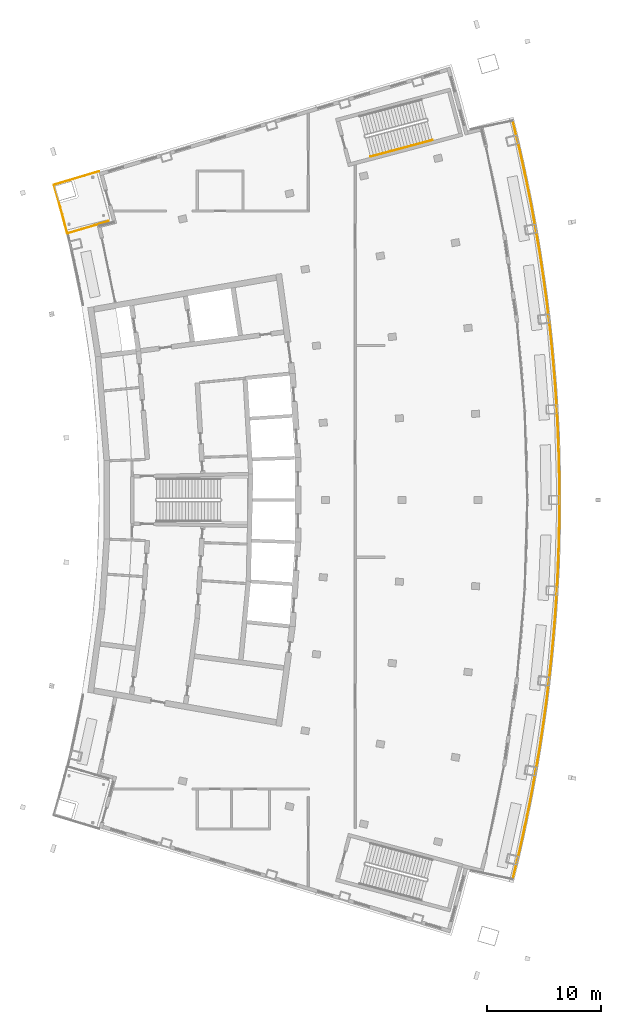
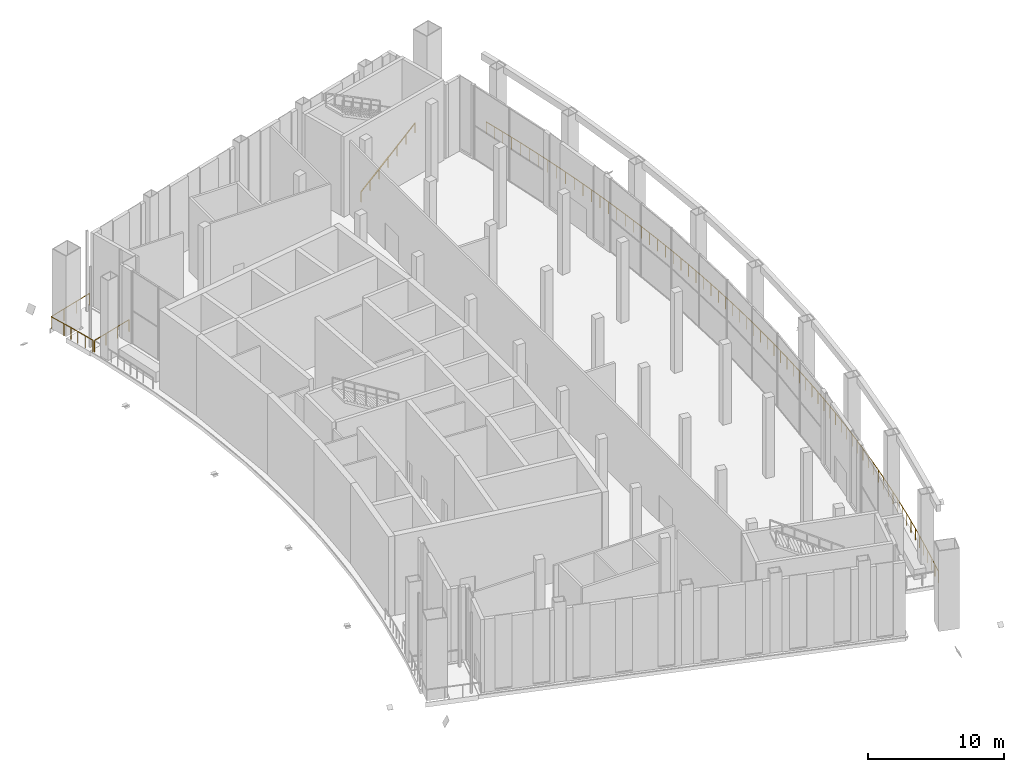
# One storey, part 23 of 25: 4 railings.
"""IFC4 building model written with IfcOpenShell, lengths in metres."""

import ifcopenshell
import ifcopenshell.guid

model = None  # the IFC model being written
_history = None  # IfcOwnerHistory: only IFC2X3 demands one
_inside = {}  # id of a spatial element -> (the spatial element, [elements in it])
_under = {}  # id of a project, library or spatial element -> (it, [spatial elements below it])
_declared = {}  # id of a project -> (the project, [libraries it declares])
_typed = {}  # id of a type object -> (the type object, [elements of that type])
_made_of = {}  # id of a material, layer set ... -> (it, [elements and type objects made of it])


def new_model(schema):
    """Start an empty IFC model of exactly this schema.

    Asked for "IFC4X3", IfcOpenShell would pick the latest addendum, in which some entities
    have other attributes; the version numbers below select the first issue.
    IFC2X3 requires an IfcOwnerHistory on every rooted entity: one is made here for all.
    """
    global model, _history
    if schema == "IFC4X3":
        model = ifcopenshell.file(schema_version=(4, 3, 0, 0))
    else:
        model = ifcopenshell.file(schema=schema)
    _inside.clear()
    _under.clear()
    _declared.clear()
    _typed.clear()
    _made_of.clear()
    _history = None
    if model.schema == "IFC2X3":
        org = make("IfcOrganization", Name="unknown")
        user = make(
            "IfcPersonAndOrganization",
            ThePerson=make("IfcPerson", FamilyName="unknown"),
            TheOrganization=org,
        )
        app = make(
            "IfcApplication",
            ApplicationDeveloper=org,
            Version="unknown",
            ApplicationFullName="unknown",
            ApplicationIdentifier="unknown",
        )
        _history = make(
            "IfcOwnerHistory",
            OwningUser=user,
            OwningApplication=app,
            ChangeAction="ADDED",
            CreationDate=0,
        )
    return model


def make(cls, **values):
    """One entity of the class cls with the attributes given. An attribute that is None is left unset."""
    return model.create_entity(
        cls, **{name: value for name, value in values.items() if value is not None}
    )


def rooted(cls, **values):
    """An entity with a GlobalId (a new one), such as an element, a storey or a relation."""
    return make(cls, GlobalId=ifcopenshell.guid.new(), OwnerHistory=_history, **values)


def si_unit(unit_type, name, prefix=None):
    """IfcSIUnit, for example si_unit("LENGTHUNIT", "METRE", prefix="MILLI")."""
    return make("IfcSIUnit", UnitType=unit_type, Prefix=prefix, Name=name)


def assignment(units):
    """IfcUnitAssignment: the units of a project."""
    return None if units is None else make("IfcUnitAssignment", Units=units)


def point(xyz):
    """IfcCartesianPoint."""
    return None if xyz is None else make("IfcCartesianPoint", Coordinates=xyz)


def direction(xyz):
    """IfcDirection."""
    return None if xyz is None else make("IfcDirection", DirectionRatios=xyz)


def frame(location, z_axis=None, x_axis=None):
    """IfcAxis2Placement3D, a coordinate frame: its origin and axes. An axis left out is left unset."""
    return make(
        "IfcAxis2Placement3D",
        Location=point(location),
        Axis=direction(z_axis),
        RefDirection=direction(x_axis),
    )


def frame_2d(location, x_axis=None):
    """IfcAxis2Placement2D, a coordinate frame in the plane: its origin and x axis."""
    return make(
        "IfcAxis2Placement2D", Location=point(location), RefDirection=direction(x_axis)
    )


def origin():
    """The frame at (0, 0, 0) with its axes left unset."""
    return frame((0.0, 0.0, 0.0))


def origin_2d():
    """The frame at (0, 0) in the plane with its x axis left unset."""
    return frame_2d((0.0, 0.0))


def place(relative_to, where):
    """IfcLocalPlacement: puts the frame where relative to a parent placement (None: the world)."""
    return make(
        "IfcLocalPlacement", PlacementRelTo=relative_to, RelativePlacement=where
    )


def context(
    kind, dimensions, precision=None, world=None, true_north=None, identifier=None
):
    """IfcGeometricRepresentationContext, for example the 3D "Model" context."""
    return make(
        "IfcGeometricRepresentationContext",
        ContextIdentifier=identifier,
        ContextType=kind,
        CoordinateSpaceDimension=dimensions,
        Precision=precision,
        WorldCoordinateSystem=world,
        TrueNorth=true_north,
    )


def subcontext(parent, identifier, kind, view, scale=None):
    """IfcGeometricRepresentationSubContext, for example "Body" below "Model"."""
    return make(
        "IfcGeometricRepresentationSubContext",
        ContextIdentifier=identifier,
        ContextType=kind,
        ParentContext=parent,
        TargetScale=scale,
        TargetView=view,
    )


def project(units=None, contexts=None):
    """IfcProject with its units and contexts."""
    return rooted(
        "IfcProject",
        Name="project",
        RepresentationContexts=contexts,
        UnitsInContext=assignment(units),
    )


def spatial(cls, under=None, at=None, **own):
    """A site, building, storey or space (cls), placed at a placement, below another one or the project."""
    s = rooted(cls, ObjectPlacement=at, **own)
    if under is not None:
        _under.setdefault(under.id(), (under, []))[1].append(s)
    return s


def profile(cls, at=None, kind="AREA", **sizes):
    """A parametric profile (cls). Its sizes go by their IFC names, for example OverallWidth=200.0."""
    return make(cls, ProfileType=kind, Position=at, **sizes)


def rectangle(**sizes):
    """IfcRectangleProfileDef."""
    return profile("IfcRectangleProfileDef", **sizes)


def extrude(swept, where, along, depth):
    """IfcExtrudedAreaSolid: the profile swept, set in the frame where, extruded along a direction by depth."""
    return make(
        "IfcExtrudedAreaSolid",
        SweptArea=swept,
        Position=where,
        ExtrudedDirection=direction(along),
        Depth=depth,
    )


def shape(context_of_items, identifier, shape_type, items):
    """IfcShapeRepresentation: the items that make up one representation, for example the "Body"."""
    return make(
        "IfcShapeRepresentation",
        ContextOfItems=context_of_items,
        RepresentationIdentifier=identifier,
        RepresentationType=shape_type,
        Items=items,
    )


def material(Name=None, Category=None):
    """IfcMaterial."""
    return make("IfcMaterial", Name=Name, Category=Category)


def made_of(thing, what):
    """Note that an element or type object is made of a material, layer set ...; save() writes the relation."""
    if what is not None:
        _made_of.setdefault(what.id(), (what, []))[1].append(thing)
    return thing


def type_object(cls, material=None, **own):
    """A type object (cls), such as IfcWallType, which elements share."""
    return made_of(rooted(cls, **own), material)


def element(
    cls,
    number,
    at=None,
    inside=None,
    cuts=None,
    type_object=None,
    material=None,
    context=None,
    identifier="Body",
    shape_type=None,
    held_by="IfcProductDefinitionShape",
    body=None,
    shapes=None,
    **own,
):
    """One element of the class cls, such as IfcWall. Its Tag is "e" and its number.

    at: its placement. inside: the storey or other place that contains it. cuts: it is an
    opening in that element (IfcRelVoidsElement). A single representation is given by context,
    identifier, shape_type and body (its items); several are given by shapes. held_by: the class
    of the entity that holds the representations. save() writes the other relations.
    """
    e = rooted(cls, Tag="e%d" % number, ObjectPlacement=at, **own)
    if body is not None:
        shapes = [shape(context, identifier, shape_type, body)]
    if shapes is not None:
        e.Representation = make(held_by, Representations=shapes)
    if inside is not None:
        _inside.setdefault(inside.id(), (inside, []))[1].append(e)
    if cuts is not None:
        rooted(
            "IfcRelVoidsElement", RelatingBuildingElement=cuts, RelatedOpeningElement=e
        )
    if type_object is not None:
        _typed.setdefault(type_object.id(), (type_object, []))[1].append(e)
    return made_of(e, material)


def aggregate(whole, parts):
    """IfcRelAggregates: a whole, such as a stair, and the parts it consists of."""
    return rooted("IfcRelAggregates", RelatingObject=whole, RelatedObjects=parts)


def save(model, path):
    """Write the relations noted so far, then the file.

    IfcRelAggregates (storeys below a building ...), IfcRelContainedInSpatialStructure (elements
    in a storey), IfcRelDefinesByType, IfcRelAssociatesMaterial and IfcRelDeclares: one each for
    every whole, place, type object, material and project.
    """
    for whole, parts in _under.values():
        aggregate(whole, parts)
    for where, things in _inside.values():
        rooted(
            "IfcRelContainedInSpatialStructure",
            RelatedElements=things,
            RelatingStructure=where,
        )
    for kind, things in _typed.values():
        rooted("IfcRelDefinesByType", RelatedObjects=things, RelatingType=kind)
    for what, things in _made_of.values():
        rooted("IfcRelAssociatesMaterial", RelatedObjects=things, RelatingMaterial=what)
    for by, libraries in _declared.values():
        rooted("IfcRelDeclares", RelatingContext=by, RelatedDefinitions=libraries)
    model.write(path)


model = new_model("IFC4")

# Units and contexts
model_context = context("Model", 3, precision=1e-05, world=origin(), true_north=direction((0.0, 1.0)))
body_context = subcontext(model_context, "Body", "Model", "MODEL_VIEW")
ifc_project = project(units=[si_unit("LENGTHUNIT", "METRE"), si_unit("AREAUNIT", "SQUARE_METRE"), si_unit("VOLUMEUNIT", "CUBIC_METRE"), si_unit("PLANEANGLEUNIT", "RADIAN"), si_unit("MASSUNIT", "GRAM", prefix="KILO")], contexts=[model_context])

# Site, building, storey
site_placement = place(None, origin())
site = spatial("IfcSite", under=ifc_project, at=site_placement, CompositionType="ELEMENT")
building_placement = place(site_placement, origin())
building = spatial("IfcBuilding", under=site, at=building_placement, Name="Alderwake Tower", CompositionType="ELEMENT")
storey_placement = place(building_placement, frame((0.0, 0.0, 288.800048828125)))
storey = spatial("IfcBuildingStorey", under=building, at=storey_placement, Name="L72", CompositionType="ELEMENT", Elevation=288.800048828125)

# Railings
ifc_material_1 = material(Name="Stainless steel 316 rail and posts", Category="steel")
railing_type_1 = type_object("IfcRailingType", Name="Balcony guard 1100", PredefinedType="GUARDRAIL", material=ifc_material_1)
railing_1_placement = place(storey_placement, frame((13.210693359375, 84.387451171875, 0.0)))
element("IfcRailing", 1, at=railing_1_placement, inside=storey, type_object=railing_type_1, Name="Guard terrace RN", PredefinedType="GUARDRAIL", context=body_context, shape_type="SweptSolid", body=[
    extrude(rectangle(XDim=0.048095703125, YDim=0.048095703125, at=origin_2d()), frame((0.0, 0.0, 1.076171875), z_axis=(-0.251385381433, 0.967887075026, 0.0), x_axis=(-0.967887075026, -0.251385381433, 0.0)), (0.0, 0.0, 1.0), 1.6015625),
    extrude(rectangle(XDim=0.048095703125, YDim=0.048095703125, at=origin_2d()), frame((-0.402587890625, 1.550048828125, 1.076171875), z_axis=(-0.266520638672, 0.963829211615, 0.0), x_axis=(-0.963829211615, -0.266520638672, 0.0)), (0.0, 0.0, 1.0), 1.401611328125),
    extrude(rectangle(XDim=0.048095703125, YDim=0.048095703125, at=origin_2d()), frame((-0.776123046875, 2.90087890625, 1.076171875), z_axis=(-0.280093650878, 0.959972680204, 0.0), x_axis=(-0.959972680204, -0.280093650878, 0.0)), (0.0, 0.0, 1.0), 1.30126953125),
    extrude(rectangle(XDim=0.048095703125, YDim=0.048095703125, at=origin_2d()), frame((-1.140625, 4.150146484375, 1.076171875), z_axis=(0.958066871889, 0.286544706789, 0.0), x_axis=(-0.286544706789, 0.958066871889, 0.0)), (0.0, 0.0, 1.0), 4.099853515625),
    extrude(rectangle(XDim=0.0419921875, YDim=0.0419921875, at=origin_2d()), frame((0.0, 0.0, 0.0), z_axis=(0.0, 0.0, 1.0), x_axis=(-0.251385381433, 0.967887075026, 0.0)), (0.0, 0.0, 1.0), 1.052001953125),
    extrude(rectangle(XDim=0.0419921875, YDim=0.0419921875, at=origin_2d()), frame((-0.201171875, 0.77490234375, 0.0), z_axis=(0.0, 0.0, 1.0), x_axis=(-0.251385381433, 0.967887075026, 0.0)), (0.0, 0.0, 1.0), 1.052001953125),
    extrude(rectangle(XDim=0.0419921875, YDim=0.0419921875, at=origin_2d()), frame((-0.402587890625, 1.550048828125, 0.0), z_axis=(0.0, 0.0, 1.0), x_axis=(-0.266520638672, 0.963829211615, 0.0)), (0.0, 0.0, 1.0), 1.052001953125),
    extrude(rectangle(XDim=0.0419921875, YDim=0.0419921875, at=origin_2d()), frame((-0.58935546875, 2.2255859375, 0.0), z_axis=(0.0, 0.0, 1.0), x_axis=(-0.266520638672, 0.963829211615, 0.0)), (0.0, 0.0, 1.0), 1.052001953125),
    extrude(rectangle(XDim=0.0419921875, YDim=0.0419921875, at=origin_2d()), frame((-0.776123046875, 2.90087890625, 0.0), z_axis=(0.0, 0.0, 1.0), x_axis=(-0.280093650878, 0.959972680204, 0.0)), (0.0, 0.0, 1.0), 1.052001953125),
    extrude(rectangle(XDim=0.0419921875, YDim=0.0419921875, at=origin_2d()), frame((-1.140625, 4.150146484375, 0.0), z_axis=(0.0, 0.0, 1.0), x_axis=(0.958066871889, 0.286544706789, 0.0)), (0.0, 0.0, 1.0), 1.052001953125),
    extrude(rectangle(XDim=0.0419921875, YDim=0.0419921875, at=origin_2d()), frame((0.168701171875, 4.541748046875, 0.0), z_axis=(0.0, 0.0, 1.0), x_axis=(0.958066871889, 0.286544706789, 0.0)), (0.0, 0.0, 1.0), 1.052001953125),
    extrude(rectangle(XDim=0.0419921875, YDim=0.0419921875, at=origin_2d()), frame((1.47802734375, 4.933349609375, 0.0), z_axis=(0.0, 0.0, 1.0), x_axis=(0.958066871889, 0.286544706789, 0.0)), (0.0, 0.0, 1.0), 1.052001953125),
    extrude(rectangle(XDim=0.0419921875, YDim=0.0419921875, at=origin_2d()), frame((2.787353515625, 5.324951171875, 0.0), z_axis=(0.0, 0.0, 1.0), x_axis=(0.958066871889, 0.286544706789, 0.0)), (0.0, 0.0, 1.0), 1.052001953125),
])
railing_2_placement = place(storey_placement, frame((52.15771484375, 27.857177734375, 0.0)))
element("IfcRailing", 2, at=railing_2_placement, inside=storey, type_object=railing_type_1, Name="Guard garden terrace front", PredefinedType="GUARDRAIL", context=body_context, shape_type="SweptSolid", body=[
    extrude(rectangle(XDim=0.048095703125, YDim=0.048095703125, at=origin_2d()), frame((0.0, 0.0, 1.076171875), z_axis=(0.237186041921, 0.971464246135, 0.0), x_axis=(-0.971464246135, 0.237186041921, 0.0)), (0.0, 0.0, 1.0), 1.68701171875),
    extrude(rectangle(XDim=0.048095703125, YDim=0.048095703125, at=origin_2d()), frame((0.400146484375, 1.638916015625, 1.076171875), z_axis=(0.224132521124, 0.974558676004, 0.0), x_axis=(-0.974558676004, 0.224132521124, 0.0)), (0.0, 0.0, 1.0), 1.98681640625),
    extrude(rectangle(XDim=0.048095703125, YDim=0.048095703125, at=origin_2d()), frame((0.845458984375, 3.5751953125, 1.076171875), z_axis=(0.209873130072, 0.977728627623, 0.0), x_axis=(-0.977728627623, 0.209873130072, 0.0)), (0.0, 0.0, 1.0), 1.98681640625),
    extrude(rectangle(XDim=0.048095703125, YDim=0.048095703125, at=origin_2d()), frame((1.262451171875, 5.517822265625, 1.076171875), z_axis=(0.195596306807, 0.980684498074, 0.0), x_axis=(-0.980684498074, 0.195596306807, 0.0)), (0.0, 0.0, 1.0), 1.987060546875),
    extrude(rectangle(XDim=0.048095703125, YDim=0.048095703125, at=origin_2d()), frame((1.651123046875, 7.466552734375, 1.076171875), z_axis=(0.181231228883, 0.983440512526, 0.0), x_axis=(-0.983440512526, 0.181231228883, 0.0)), (0.0, 0.0, 1.0), 1.987060546875),
    extrude(rectangle(XDim=0.048095703125, YDim=0.048095703125, at=origin_2d()), frame((2.01123046875, 9.420654296875, 1.076171875), z_axis=(0.166988783999, 0.985958795295, 0.0), x_axis=(-0.985958795295, 0.166988783999, 0.0)), (0.0, 0.0, 1.0), 1.98681640625),
    extrude(rectangle(XDim=0.048095703125, YDim=0.048095703125, at=origin_2d()), frame((2.343017578125, 11.379638671875, 1.076171875), z_axis=(0.152472631452, 0.988307693311, 0.0), x_axis=(-0.988307693311, 0.152472631452, 0.0)), (0.0, 0.0, 1.0), 1.987060546875),
    extrude(rectangle(XDim=0.048095703125, YDim=0.048095703125, at=origin_2d()), frame((2.64599609375, 13.343505859375, 1.076171875), z_axis=(0.138117544488, 0.990415843928, 0.0), x_axis=(-0.990415843928, 0.138117544488, 0.0)), (0.0, 0.0, 1.0), 1.98681640625),
    extrude(rectangle(XDim=0.048095703125, YDim=0.048095703125, at=origin_2d()), frame((2.92041015625, 15.311279296875, 1.076171875), z_axis=(0.123611280463, 0.992330716718, 0.0), x_axis=(-0.992330716718, 0.123611280463, 0.0)), (0.0, 0.0, 1.0), 1.98681640625),
    extrude(rectangle(XDim=0.048095703125, YDim=0.048095703125, at=origin_2d()), frame((3.166015625, 17.282958984375, 1.076171875), z_axis=(0.109231217762, 0.994016368611, 0.0), x_axis=(-0.994016368611, 0.109231217762, 0.0)), (0.0, 0.0, 1.0), 1.987060546875),
    extrude(rectangle(XDim=0.048095703125, YDim=0.048095703125, at=origin_2d()), frame((3.383056640625, 19.258056640625, 1.076171875), z_axis=(0.094611942288, 0.995514229118, 0.0), x_axis=(-0.995514229118, 0.094611942288, 0.0)), (0.0, 0.0, 1.0), 1.987060546875),
    extrude(rectangle(XDim=0.048095703125, YDim=0.048095703125, at=origin_2d()), frame((3.571044921875, 21.236083984375, 1.076171875), z_axis=(0.080106578367, 0.996786304131, 0.0), x_axis=(-0.996786304131, 0.080106578367, 0.0)), (0.0, 0.0, 1.0), 1.987060546875),
    extrude(rectangle(XDim=0.048095703125, YDim=0.048095703125, at=origin_2d()), frame((3.730224609375, 23.216796875, 1.076171875), z_axis=(0.065613752154, 0.997845095958, 0.0), x_axis=(-0.997845095958, 0.065613752154, 0.0)), (0.0, 0.0, 1.0), 1.987060546875),
    extrude(rectangle(XDim=0.048095703125, YDim=0.048095703125, at=origin_2d()), frame((3.860595703125, 25.199462890625, 1.076171875), z_axis=(0.050991648385, 0.998699079701, 0.0), x_axis=(-0.998699079701, 0.050991648385, 0.0)), (0.0, 0.0, 1.0), 1.987060546875),
    extrude(rectangle(XDim=0.048095703125, YDim=0.048095703125, at=origin_2d()), frame((3.9619140625, 27.183837890625, 1.076171875), z_axis=(0.036493565073, 0.999333888002, 0.0), x_axis=(-0.999333888002, 0.036493565073, 0.0)), (0.0, 0.0, 1.0), 1.98681640625),
    extrude(rectangle(XDim=0.048095703125, YDim=0.048095703125, at=origin_2d()), frame((4.034423828125, 29.16943359375, 1.076171875), z_axis=(0.021870151886, 0.999760819625, 0.0), x_axis=(-0.999760819625, 0.021870151886, 0.0)), (0.0, 0.0, 1.0), 1.987060546875),
    extrude(rectangle(XDim=0.048095703125, YDim=0.048095703125, at=origin_2d()), frame((4.077880859375, 31.156005859375, 1.076171875), z_axis=(0.007249748033, 0.999973720231, 0.0), x_axis=(-0.999973720231, 0.007249748033, 0.0)), (0.0, 0.0, 1.0), 1.98681640625),
    extrude(rectangle(XDim=0.048095703125, YDim=0.048095703125, at=origin_2d()), frame((4.09228515625, 33.142822265625, 1.076171875), z_axis=(-0.007249748033, 0.999973720231, 0.0), x_axis=(-0.999973720231, -0.007249748033, 0.0)), (0.0, 0.0, 1.0), 1.98681640625),
    extrude(rectangle(XDim=0.048095703125, YDim=0.048095703125, at=origin_2d()), frame((4.077880859375, 35.129638671875, 1.076171875), z_axis=(-0.021870151886, 0.999760819625, 0.0), x_axis=(-0.999760819625, -0.021870151886, 0.0)), (0.0, 0.0, 1.0), 1.987060546875),
    extrude(rectangle(XDim=0.048095703125, YDim=0.048095703125, at=origin_2d()), frame((4.034423828125, 37.1162109375, 1.076171875), z_axis=(-0.036493565073, 0.999333888002, 0.0), x_axis=(-0.999333888002, -0.036493565073, 0.0)), (0.0, 0.0, 1.0), 1.98681640625),
    extrude(rectangle(XDim=0.048095703125, YDim=0.048095703125, at=origin_2d()), frame((3.9619140625, 39.101806640625, 1.076171875), z_axis=(-0.050991648385, 0.998699079701, 0.0), x_axis=(-0.998699079701, -0.050991648385, 0.0)), (0.0, 0.0, 1.0), 1.987060546875),
    extrude(rectangle(XDim=0.048095703125, YDim=0.048095703125, at=origin_2d()), frame((3.860595703125, 41.086181640625, 1.076171875), z_axis=(-0.065613752154, 0.997845095958, 0.0), x_axis=(-0.997845095958, -0.065613752154, 0.0)), (0.0, 0.0, 1.0), 1.987060546875),
    extrude(rectangle(XDim=0.048095703125, YDim=0.048095703125, at=origin_2d()), frame((3.730224609375, 43.06884765625, 1.076171875), z_axis=(-0.080106578367, 0.996786304131, 0.0), x_axis=(-0.996786304131, -0.080106578367, 0.0)), (0.0, 0.0, 1.0), 1.987060546875),
    extrude(rectangle(XDim=0.048095703125, YDim=0.048095703125, at=origin_2d()), frame((3.571044921875, 45.049560546875, 1.076171875), z_axis=(-0.094611942288, 0.995514229118, 0.0), x_axis=(-0.995514229118, -0.094611942288, 0.0)), (0.0, 0.0, 1.0), 1.987060546875),
    extrude(rectangle(XDim=0.048095703125, YDim=0.048095703125, at=origin_2d()), frame((3.383056640625, 47.027587890625, 1.076171875), z_axis=(-0.109231217762, 0.994016368611, 0.0), x_axis=(-0.994016368611, -0.109231217762, 0.0)), (0.0, 0.0, 1.0), 1.987060546875),
    extrude(rectangle(XDim=0.048095703125, YDim=0.048095703125, at=origin_2d()), frame((3.166015625, 49.002685546875, 1.076171875), z_axis=(-0.123611280463, 0.992330716718, 0.0), x_axis=(-0.992330716718, -0.123611280463, 0.0)), (0.0, 0.0, 1.0), 1.98681640625),
    extrude(rectangle(XDim=0.048095703125, YDim=0.048095703125, at=origin_2d()), frame((2.92041015625, 50.974365234375, 1.076171875), z_axis=(-0.138117544488, 0.990415843928, 0.0), x_axis=(-0.990415843928, -0.138117544488, 0.0)), (0.0, 0.0, 1.0), 1.98681640625),
    extrude(rectangle(XDim=0.048095703125, YDim=0.048095703125, at=origin_2d()), frame((2.64599609375, 52.942138671875, 1.076171875), z_axis=(-0.152472631452, 0.988307693311, 0.0), x_axis=(-0.988307693311, -0.152472631452, 0.0)), (0.0, 0.0, 1.0), 1.987060546875),
    extrude(rectangle(XDim=0.048095703125, YDim=0.048095703125, at=origin_2d()), frame((2.343017578125, 54.906005859375, 1.076171875), z_axis=(-0.166988783999, 0.985958795295, 0.0), x_axis=(-0.985958795295, -0.166988783999, 0.0)), (0.0, 0.0, 1.0), 1.98681640625),
    extrude(rectangle(XDim=0.048095703125, YDim=0.048095703125, at=origin_2d()), frame((2.01123046875, 56.864990234375, 1.076171875), z_axis=(-0.181231228883, 0.983440512526, 0.0), x_axis=(-0.983440512526, -0.181231228883, 0.0)), (0.0, 0.0, 1.0), 1.987060546875),
    extrude(rectangle(XDim=0.048095703125, YDim=0.048095703125, at=origin_2d()), frame((1.651123046875, 58.819091796875, 1.076171875), z_axis=(-0.195596306807, 0.980684498074, 0.0), x_axis=(-0.980684498074, -0.195596306807, 0.0)), (0.0, 0.0, 1.0), 1.987060546875),
    extrude(rectangle(XDim=0.048095703125, YDim=0.048095703125, at=origin_2d()), frame((1.262451171875, 60.767822265625, 1.076171875), z_axis=(-0.209873130072, 0.977728627623, 0.0), x_axis=(-0.977728627623, -0.209873130072, 0.0)), (0.0, 0.0, 1.0), 1.98681640625),
    extrude(rectangle(XDim=0.048095703125, YDim=0.048095703125, at=origin_2d()), frame((0.845458984375, 62.71044921875, 1.076171875), z_axis=(-0.224132521124, 0.974558676004, 0.0), x_axis=(-0.974558676004, -0.224132521124, 0.0)), (0.0, 0.0, 1.0), 1.98681640625),
    extrude(rectangle(XDim=0.048095703125, YDim=0.048095703125, at=origin_2d()), frame((0.400146484375, 64.646728515625, 1.076171875), z_axis=(-0.237186041921, 0.971464246135, 0.0), x_axis=(-0.971464246135, -0.237186041921, 0.0)), (0.0, 0.0, 1.0), 1.68701171875),
    extrude(rectangle(XDim=0.0419921875, YDim=0.0419921875, at=origin_2d()), frame((0.0, 0.0, 0.0), z_axis=(0.0, 0.0, 1.0), x_axis=(0.237186041921, 0.971464246135, 0.0)), (0.0, 0.0, 1.0), 1.052001953125),
    extrude(rectangle(XDim=0.0419921875, YDim=0.0419921875, at=origin_2d()), frame((0.2001953125, 0.8193359375, 0.0), z_axis=(0.0, 0.0, 1.0), x_axis=(0.237186041921, 0.971464246135, 0.0)), (0.0, 0.0, 1.0), 1.052001953125),
    extrude(rectangle(XDim=0.0419921875, YDim=0.0419921875, at=origin_2d()), frame((0.400146484375, 1.638916015625, 0.0), z_axis=(0.0, 0.0, 1.0), x_axis=(0.224132521124, 0.974558676004, 0.0)), (0.0, 0.0, 1.0), 1.052001953125),
    extrude(rectangle(XDim=0.0419921875, YDim=0.0419921875, at=origin_2d()), frame((0.622802734375, 2.60693359375, 0.0), z_axis=(0.0, 0.0, 1.0), x_axis=(0.224132521124, 0.974558676004, 0.0)), (0.0, 0.0, 1.0), 1.052001953125),
    extrude(rectangle(XDim=0.0419921875, YDim=0.0419921875, at=origin_2d()), frame((0.845458984375, 3.5751953125, 0.0), z_axis=(0.0, 0.0, 1.0), x_axis=(0.209873130072, 0.977728627623, 0.0)), (0.0, 0.0, 1.0), 1.052001953125),
    extrude(rectangle(XDim=0.0419921875, YDim=0.0419921875, at=origin_2d()), frame((1.053955078125, 4.54638671875, 0.0), z_axis=(0.0, 0.0, 1.0), x_axis=(0.209873130072, 0.977728627623, 0.0)), (0.0, 0.0, 1.0), 1.052001953125),
    extrude(rectangle(XDim=0.0419921875, YDim=0.0419921875, at=origin_2d()), frame((1.262451171875, 5.517822265625, 0.0), z_axis=(0.0, 0.0, 1.0), x_axis=(0.195596306807, 0.980684498074, 0.0)), (0.0, 0.0, 1.0), 1.052001953125),
    extrude(rectangle(XDim=0.0419921875, YDim=0.0419921875, at=origin_2d()), frame((1.456787109375, 6.4921875, 0.0), z_axis=(0.0, 0.0, 1.0), x_axis=(0.195596306807, 0.980684498074, 0.0)), (0.0, 0.0, 1.0), 1.052001953125),
    extrude(rectangle(XDim=0.0419921875, YDim=0.0419921875, at=origin_2d()), frame((1.651123046875, 7.466552734375, 0.0), z_axis=(0.0, 0.0, 1.0), x_axis=(0.181231228883, 0.983440512526, 0.0)), (0.0, 0.0, 1.0), 1.052001953125),
    extrude(rectangle(XDim=0.0419921875, YDim=0.0419921875, at=origin_2d()), frame((1.8310546875, 8.443603515625, 0.0), z_axis=(0.0, 0.0, 1.0), x_axis=(0.181231228883, 0.983440512526, 0.0)), (0.0, 0.0, 1.0), 1.052001953125),
    extrude(rectangle(XDim=0.0419921875, YDim=0.0419921875, at=origin_2d()), frame((2.01123046875, 9.420654296875, 0.0), z_axis=(0.0, 0.0, 1.0), x_axis=(0.166988783999, 0.985958795295, 0.0)), (0.0, 0.0, 1.0), 1.052001953125),
    extrude(rectangle(XDim=0.0419921875, YDim=0.0419921875, at=origin_2d()), frame((2.17724609375, 10.400146484375, 0.0), z_axis=(0.0, 0.0, 1.0), x_axis=(0.166988783999, 0.985958795295, 0.0)), (0.0, 0.0, 1.0), 1.052001953125),
    extrude(rectangle(XDim=0.0419921875, YDim=0.0419921875, at=origin_2d()), frame((2.343017578125, 11.379638671875, 0.0), z_axis=(0.0, 0.0, 1.0), x_axis=(0.152472631452, 0.988307693311, 0.0)), (0.0, 0.0, 1.0), 1.052001953125),
    extrude(rectangle(XDim=0.0419921875, YDim=0.0419921875, at=origin_2d()), frame((2.49462890625, 12.361572265625, 0.0), z_axis=(0.0, 0.0, 1.0), x_axis=(0.152472631452, 0.988307693311, 0.0)), (0.0, 0.0, 1.0), 1.052001953125),
    extrude(rectangle(XDim=0.0419921875, YDim=0.0419921875, at=origin_2d()), frame((2.64599609375, 13.343505859375, 0.0), z_axis=(0.0, 0.0, 1.0), x_axis=(0.138117544488, 0.990415843928, 0.0)), (0.0, 0.0, 1.0), 1.052001953125),
    extrude(rectangle(XDim=0.0419921875, YDim=0.0419921875, at=origin_2d()), frame((2.783203125, 14.327392578125, 0.0), z_axis=(0.0, 0.0, 1.0), x_axis=(0.138117544488, 0.990415843928, 0.0)), (0.0, 0.0, 1.0), 1.052001953125),
    extrude(rectangle(XDim=0.0419921875, YDim=0.0419921875, at=origin_2d()), frame((2.92041015625, 15.311279296875, 0.0), z_axis=(0.0, 0.0, 1.0), x_axis=(0.123611280463, 0.992330716718, 0.0)), (0.0, 0.0, 1.0), 1.052001953125),
    extrude(rectangle(XDim=0.0419921875, YDim=0.0419921875, at=origin_2d()), frame((3.043212890625, 16.297119140625, 0.0), z_axis=(0.0, 0.0, 1.0), x_axis=(0.123611280463, 0.992330716718, 0.0)), (0.0, 0.0, 1.0), 1.052001953125),
    extrude(rectangle(XDim=0.0419921875, YDim=0.0419921875, at=origin_2d()), frame((3.166015625, 17.282958984375, 0.0), z_axis=(0.0, 0.0, 1.0), x_axis=(0.109231217762, 0.994016368611, 0.0)), (0.0, 0.0, 1.0), 1.052001953125),
    extrude(rectangle(XDim=0.0419921875, YDim=0.0419921875, at=origin_2d()), frame((3.2744140625, 18.2705078125, 0.0), z_axis=(0.0, 0.0, 1.0), x_axis=(0.109231217762, 0.994016368611, 0.0)), (0.0, 0.0, 1.0), 1.052001953125),
    extrude(rectangle(XDim=0.0419921875, YDim=0.0419921875, at=origin_2d()), frame((3.383056640625, 19.258056640625, 0.0), z_axis=(0.0, 0.0, 1.0), x_axis=(0.094611942288, 0.995514229118, 0.0)), (0.0, 0.0, 1.0), 1.052001953125),
    extrude(rectangle(XDim=0.0419921875, YDim=0.0419921875, at=origin_2d()), frame((3.47705078125, 20.2470703125, 0.0), z_axis=(0.0, 0.0, 1.0), x_axis=(0.094611942288, 0.995514229118, 0.0)), (0.0, 0.0, 1.0), 1.052001953125),
    extrude(rectangle(XDim=0.0419921875, YDim=0.0419921875, at=origin_2d()), frame((3.571044921875, 21.236083984375, 0.0), z_axis=(0.0, 0.0, 1.0), x_axis=(0.080106578367, 0.996786304131, 0.0)), (0.0, 0.0, 1.0), 1.052001953125),
    extrude(rectangle(XDim=0.0419921875, YDim=0.0419921875, at=origin_2d()), frame((3.650634765625, 22.2265625, 0.0), z_axis=(0.0, 0.0, 1.0), x_axis=(0.080106578367, 0.996786304131, 0.0)), (0.0, 0.0, 1.0), 1.052001953125),
    extrude(rectangle(XDim=0.0419921875, YDim=0.0419921875, at=origin_2d()), frame((3.730224609375, 23.216796875, 0.0), z_axis=(0.0, 0.0, 1.0), x_axis=(0.065613752154, 0.997845095958, 0.0)), (0.0, 0.0, 1.0), 1.052001953125),
    extrude(rectangle(XDim=0.0419921875, YDim=0.0419921875, at=origin_2d()), frame((3.79541015625, 24.2080078125, 0.0), z_axis=(0.0, 0.0, 1.0), x_axis=(0.065613752154, 0.997845095958, 0.0)), (0.0, 0.0, 1.0), 1.052001953125),
    extrude(rectangle(XDim=0.0419921875, YDim=0.0419921875, at=origin_2d()), frame((3.860595703125, 25.199462890625, 0.0), z_axis=(0.0, 0.0, 1.0), x_axis=(0.050991648385, 0.998699079701, 0.0)), (0.0, 0.0, 1.0), 1.052001953125),
    extrude(rectangle(XDim=0.0419921875, YDim=0.0419921875, at=origin_2d()), frame((3.9111328125, 26.191650390625, 0.0), z_axis=(0.0, 0.0, 1.0), x_axis=(0.050991648385, 0.998699079701, 0.0)), (0.0, 0.0, 1.0), 1.052001953125),
    extrude(rectangle(XDim=0.0419921875, YDim=0.0419921875, at=origin_2d()), frame((3.9619140625, 27.183837890625, 0.0), z_axis=(0.0, 0.0, 1.0), x_axis=(0.036493565073, 0.999333888002, 0.0)), (0.0, 0.0, 1.0), 1.052001953125),
    extrude(rectangle(XDim=0.0419921875, YDim=0.0419921875, at=origin_2d()), frame((3.998046875, 28.1767578125, 0.0), z_axis=(0.0, 0.0, 1.0), x_axis=(0.036493565073, 0.999333888002, 0.0)), (0.0, 0.0, 1.0), 1.052001953125),
    extrude(rectangle(XDim=0.0419921875, YDim=0.0419921875, at=origin_2d()), frame((4.034423828125, 29.16943359375, 0.0), z_axis=(0.0, 0.0, 1.0), x_axis=(0.021870151886, 0.999760819625, 0.0)), (0.0, 0.0, 1.0), 1.052001953125),
    extrude(rectangle(XDim=0.0419921875, YDim=0.0419921875, at=origin_2d()), frame((4.05615234375, 30.16259765625, 0.0), z_axis=(0.0, 0.0, 1.0), x_axis=(0.021870151886, 0.999760819625, 0.0)), (0.0, 0.0, 1.0), 1.052001953125),
    extrude(rectangle(XDim=0.0419921875, YDim=0.0419921875, at=origin_2d()), frame((4.077880859375, 31.156005859375, 0.0), z_axis=(0.0, 0.0, 1.0), x_axis=(0.007249748033, 0.999973720231, 0.0)), (0.0, 0.0, 1.0), 1.052001953125),
    extrude(rectangle(XDim=0.0419921875, YDim=0.0419921875, at=origin_2d()), frame((4.0849609375, 32.1494140625, 0.0), z_axis=(0.0, 0.0, 1.0), x_axis=(0.007249748033, 0.999973720231, 0.0)), (0.0, 0.0, 1.0), 1.052001953125),
    extrude(rectangle(XDim=0.0419921875, YDim=0.0419921875, at=origin_2d()), frame((4.09228515625, 33.142822265625, 0.0), z_axis=(0.0, 0.0, 1.0), x_axis=(-0.007249748033, 0.999973720231, 0.0)), (0.0, 0.0, 1.0), 1.052001953125),
    extrude(rectangle(XDim=0.0419921875, YDim=0.0419921875, at=origin_2d()), frame((4.0849609375, 34.13623046875, 0.0), z_axis=(0.0, 0.0, 1.0), x_axis=(-0.007249748033, 0.999973720231, 0.0)), (0.0, 0.0, 1.0), 1.052001953125),
    extrude(rectangle(XDim=0.0419921875, YDim=0.0419921875, at=origin_2d()), frame((4.077880859375, 35.129638671875, 0.0), z_axis=(0.0, 0.0, 1.0), x_axis=(-0.021870151886, 0.999760819625, 0.0)), (0.0, 0.0, 1.0), 1.052001953125),
    extrude(rectangle(XDim=0.0419921875, YDim=0.0419921875, at=origin_2d()), frame((4.05615234375, 36.123046875, 0.0), z_axis=(0.0, 0.0, 1.0), x_axis=(-0.021870151886, 0.999760819625, 0.0)), (0.0, 0.0, 1.0), 1.052001953125),
    extrude(rectangle(XDim=0.0419921875, YDim=0.0419921875, at=origin_2d()), frame((4.034423828125, 37.1162109375, 0.0), z_axis=(0.0, 0.0, 1.0), x_axis=(-0.036493565073, 0.999333888002, 0.0)), (0.0, 0.0, 1.0), 1.052001953125),
    extrude(rectangle(XDim=0.0419921875, YDim=0.0419921875, at=origin_2d()), frame((3.998046875, 38.10888671875, 0.0), z_axis=(0.0, 0.0, 1.0), x_axis=(-0.036493565073, 0.999333888002, 0.0)), (0.0, 0.0, 1.0), 1.052001953125),
    extrude(rectangle(XDim=0.0419921875, YDim=0.0419921875, at=origin_2d()), frame((3.9619140625, 39.101806640625, 0.0), z_axis=(0.0, 0.0, 1.0), x_axis=(-0.050991648385, 0.998699079701, 0.0)), (0.0, 0.0, 1.0), 1.052001953125),
    extrude(rectangle(XDim=0.0419921875, YDim=0.0419921875, at=origin_2d()), frame((3.9111328125, 40.093994140625, 0.0), z_axis=(0.0, 0.0, 1.0), x_axis=(-0.050991648385, 0.998699079701, 0.0)), (0.0, 0.0, 1.0), 1.052001953125),
    extrude(rectangle(XDim=0.0419921875, YDim=0.0419921875, at=origin_2d()), frame((3.860595703125, 41.086181640625, 0.0), z_axis=(0.0, 0.0, 1.0), x_axis=(-0.065613752154, 0.997845095958, 0.0)), (0.0, 0.0, 1.0), 1.052001953125),
    extrude(rectangle(XDim=0.0419921875, YDim=0.0419921875, at=origin_2d()), frame((3.79541015625, 42.07763671875, 0.0), z_axis=(0.0, 0.0, 1.0), x_axis=(-0.065613752154, 0.997845095958, 0.0)), (0.0, 0.0, 1.0), 1.052001953125),
    extrude(rectangle(XDim=0.0419921875, YDim=0.0419921875, at=origin_2d()), frame((3.730224609375, 43.06884765625, 0.0), z_axis=(0.0, 0.0, 1.0), x_axis=(-0.080106578367, 0.996786304131, 0.0)), (0.0, 0.0, 1.0), 1.052001953125),
    extrude(rectangle(XDim=0.0419921875, YDim=0.0419921875, at=origin_2d()), frame((3.650634765625, 44.05908203125, 0.0), z_axis=(0.0, 0.0, 1.0), x_axis=(-0.080106578367, 0.996786304131, 0.0)), (0.0, 0.0, 1.0), 1.052001953125),
    extrude(rectangle(XDim=0.0419921875, YDim=0.0419921875, at=origin_2d()), frame((3.571044921875, 45.049560546875, 0.0), z_axis=(0.0, 0.0, 1.0), x_axis=(-0.094611942288, 0.995514229118, 0.0)), (0.0, 0.0, 1.0), 1.052001953125),
    extrude(rectangle(XDim=0.0419921875, YDim=0.0419921875, at=origin_2d()), frame((3.47705078125, 46.03857421875, 0.0), z_axis=(0.0, 0.0, 1.0), x_axis=(-0.094611942288, 0.995514229118, 0.0)), (0.0, 0.0, 1.0), 1.052001953125),
    extrude(rectangle(XDim=0.0419921875, YDim=0.0419921875, at=origin_2d()), frame((3.383056640625, 47.027587890625, 0.0), z_axis=(0.0, 0.0, 1.0), x_axis=(-0.109231217762, 0.994016368611, 0.0)), (0.0, 0.0, 1.0), 1.052001953125),
    extrude(rectangle(XDim=0.0419921875, YDim=0.0419921875, at=origin_2d()), frame((3.2744140625, 48.01513671875, 0.0), z_axis=(0.0, 0.0, 1.0), x_axis=(-0.109231217762, 0.994016368611, 0.0)), (0.0, 0.0, 1.0), 1.052001953125),
    extrude(rectangle(XDim=0.0419921875, YDim=0.0419921875, at=origin_2d()), frame((3.166015625, 49.002685546875, 0.0), z_axis=(0.0, 0.0, 1.0), x_axis=(-0.123611280463, 0.992330716718, 0.0)), (0.0, 0.0, 1.0), 1.052001953125),
    extrude(rectangle(XDim=0.0419921875, YDim=0.0419921875, at=origin_2d()), frame((3.043212890625, 49.988525390625, 0.0), z_axis=(0.0, 0.0, 1.0), x_axis=(-0.123611280463, 0.992330716718, 0.0)), (0.0, 0.0, 1.0), 1.052001953125),
    extrude(rectangle(XDim=0.0419921875, YDim=0.0419921875, at=origin_2d()), frame((2.92041015625, 50.974365234375, 0.0), z_axis=(0.0, 0.0, 1.0), x_axis=(-0.138117544488, 0.990415843928, 0.0)), (0.0, 0.0, 1.0), 1.052001953125),
    extrude(rectangle(XDim=0.0419921875, YDim=0.0419921875, at=origin_2d()), frame((2.783203125, 51.958251953125, 0.0), z_axis=(0.0, 0.0, 1.0), x_axis=(-0.138117544488, 0.990415843928, 0.0)), (0.0, 0.0, 1.0), 1.052001953125),
    extrude(rectangle(XDim=0.0419921875, YDim=0.0419921875, at=origin_2d()), frame((2.64599609375, 52.942138671875, 0.0), z_axis=(0.0, 0.0, 1.0), x_axis=(-0.152472631452, 0.988307693311, 0.0)), (0.0, 0.0, 1.0), 1.052001953125),
    extrude(rectangle(XDim=0.0419921875, YDim=0.0419921875, at=origin_2d()), frame((2.49462890625, 53.924072265625, 0.0), z_axis=(0.0, 0.0, 1.0), x_axis=(-0.152472631452, 0.988307693311, 0.0)), (0.0, 0.0, 1.0), 1.052001953125),
    extrude(rectangle(XDim=0.0419921875, YDim=0.0419921875, at=origin_2d()), frame((2.343017578125, 54.906005859375, 0.0), z_axis=(0.0, 0.0, 1.0), x_axis=(-0.166988783999, 0.985958795295, 0.0)), (0.0, 0.0, 1.0), 1.052001953125),
    extrude(rectangle(XDim=0.0419921875, YDim=0.0419921875, at=origin_2d()), frame((2.17724609375, 55.885498046875, 0.0), z_axis=(0.0, 0.0, 1.0), x_axis=(-0.166988783999, 0.985958795295, 0.0)), (0.0, 0.0, 1.0), 1.052001953125),
    extrude(rectangle(XDim=0.0419921875, YDim=0.0419921875, at=origin_2d()), frame((2.01123046875, 56.864990234375, 0.0), z_axis=(0.0, 0.0, 1.0), x_axis=(-0.181231228883, 0.983440512526, 0.0)), (0.0, 0.0, 1.0), 1.052001953125),
    extrude(rectangle(XDim=0.0419921875, YDim=0.0419921875, at=origin_2d()), frame((1.8310546875, 57.842041015625, 0.0), z_axis=(0.0, 0.0, 1.0), x_axis=(-0.181231228883, 0.983440512526, 0.0)), (0.0, 0.0, 1.0), 1.052001953125),
    extrude(rectangle(XDim=0.0419921875, YDim=0.0419921875, at=origin_2d()), frame((1.651123046875, 58.819091796875, 0.0), z_axis=(0.0, 0.0, 1.0), x_axis=(-0.195596306807, 0.980684498074, 0.0)), (0.0, 0.0, 1.0), 1.052001953125),
    extrude(rectangle(XDim=0.0419921875, YDim=0.0419921875, at=origin_2d()), frame((1.456787109375, 59.79345703125, 0.0), z_axis=(0.0, 0.0, 1.0), x_axis=(-0.195596306807, 0.980684498074, 0.0)), (0.0, 0.0, 1.0), 1.052001953125),
    extrude(rectangle(XDim=0.0419921875, YDim=0.0419921875, at=origin_2d()), frame((1.262451171875, 60.767822265625, 0.0), z_axis=(0.0, 0.0, 1.0), x_axis=(-0.209873130072, 0.977728627623, 0.0)), (0.0, 0.0, 1.0), 1.052001953125),
    extrude(rectangle(XDim=0.0419921875, YDim=0.0419921875, at=origin_2d()), frame((1.053955078125, 61.7392578125, 0.0), z_axis=(0.0, 0.0, 1.0), x_axis=(-0.209873130072, 0.977728627623, 0.0)), (0.0, 0.0, 1.0), 1.052001953125),
    extrude(rectangle(XDim=0.0419921875, YDim=0.0419921875, at=origin_2d()), frame((0.845458984375, 62.71044921875, 0.0), z_axis=(0.0, 0.0, 1.0), x_axis=(-0.224132521124, 0.974558676004, 0.0)), (0.0, 0.0, 1.0), 1.052001953125),
    extrude(rectangle(XDim=0.0419921875, YDim=0.0419921875, at=origin_2d()), frame((0.622802734375, 63.6787109375, 0.0), z_axis=(0.0, 0.0, 1.0), x_axis=(-0.224132521124, 0.974558676004, 0.0)), (0.0, 0.0, 1.0), 1.052001953125),
    extrude(rectangle(XDim=0.0419921875, YDim=0.0419921875, at=origin_2d()), frame((0.400146484375, 64.646728515625, 0.0), z_axis=(0.0, 0.0, 1.0), x_axis=(-0.237186041921, 0.971464246135, 0.0)), (0.0, 0.0, 1.0), 1.052001953125),
    extrude(rectangle(XDim=0.0419921875, YDim=0.0419921875, at=origin_2d()), frame((0.2001953125, 65.46630859375, 0.0), z_axis=(0.0, 0.0, 1.0), x_axis=(-0.237186041921, 0.971464246135, 0.0)), (0.0, 0.0, 1.0), 1.052001953125),
    extrude(rectangle(XDim=0.0419921875, YDim=0.0419921875, at=origin_2d()), frame((0.0, 66.28564453125, 0.0), z_axis=(0.0, 0.0, 1.0), x_axis=(-0.237186041921, 0.971464246135, 0.0)), (0.0, 0.0, 1.0), 1.052001953125),
])
railing_3_placement = place(storey_placement, frame((13.283447265625, 84.302734375, 0.0)))
element("IfcRailing", 3, at=railing_3_placement, inside=storey, type_object=railing_type_1, Name="Guard garden terrace rear end", PredefinedType="GUARDRAIL", context=body_context, shape_type="SweptSolid", body=[
    extrude(rectangle(XDim=0.048095703125, YDim=0.048095703125, at=origin_2d()), frame((0.0, 0.0, 1.076171875), z_axis=(0.958690974733, 0.284449670355, 0.0), x_axis=(-0.284449670355, 0.958690974733, 0.0)), (0.0, 0.0, 1.0), 3.70361328125),
    extrude(rectangle(XDim=0.0419921875, YDim=0.0419921875, at=origin_2d()), frame((0.0, 0.0, 0.0), z_axis=(0.0, 0.0, 1.0), x_axis=(0.958690974733, 0.284449670355, 0.0)), (0.0, 0.0, 1.0), 1.052001953125),
    extrude(rectangle(XDim=0.0419921875, YDim=0.0419921875, at=origin_2d()), frame((1.18359375, 0.35107421875, 0.0), z_axis=(0.0, 0.0, 1.0), x_axis=(0.958690974733, 0.284449670355, 0.0)), (0.0, 0.0, 1.0), 1.052001953125),
    extrude(rectangle(XDim=0.0419921875, YDim=0.0419921875, at=origin_2d()), frame((2.366943359375, 0.702392578125, 0.0), z_axis=(0.0, 0.0, 1.0), x_axis=(0.958690974733, 0.284449670355, 0.0)), (0.0, 0.0, 1.0), 1.052001953125),
    extrude(rectangle(XDim=0.0419921875, YDim=0.0419921875, at=origin_2d()), frame((3.550537109375, 1.053466796875, 0.0), z_axis=(0.0, 0.0, 1.0), x_axis=(0.958690974733, 0.284449670355, 0.0)), (0.0, 0.0, 1.0), 1.052001953125),
])
ifc_material_2 = material(Name="Stainless steel handrail", Category="steel")
railing_type_2 = type_object("IfcRailingType", Name="Stair handrail 900", PredefinedType="HANDRAIL", material=ifc_material_2)
railing_4_placement = place(storey_placement, frame((39.731689453125, 91.002685546875, 0.17138671875)))
element("IfcRailing", 4, at=railing_4_placement, inside=storey, type_object=railing_type_2, Name="L72 ST-A stair handrail 1", PredefinedType="HANDRAIL", context=body_context, shape_type="SweptSolid", body=[
    extrude(rectangle(XDim=0.048095703125, YDim=0.048095703125, at=origin_2d()), frame((0.0, 0.0, 0.8759765625), z_axis=(0.82413232745, 0.219483560972, 0.522142579489), x_axis=(-0.257350586944, 0.966318102593, 0.0)), (0.0, 0.0, 1.0), 6.566162109375),
    extrude(rectangle(XDim=0.0419921875, YDim=0.0419921875, at=origin_2d()), frame((0.0, 0.0, 0.0), z_axis=(0.0, 0.0, 1.0), x_axis=(0.966318102593, 0.257350586944, 0.0)), (0.0, 0.0, 1.0), 0.851806640625),
    extrude(rectangle(XDim=0.0419921875, YDim=0.0419921875, at=origin_2d()), frame((0.90185546875, 0.240234375, 0.5712890625), z_axis=(0.0, 0.0, 1.0), x_axis=(0.966318102593, 0.257350586944, 0.0)), (0.0, 0.0, 1.0), 0.851806640625),
    extrude(rectangle(XDim=0.0419921875, YDim=0.0419921875, at=origin_2d()), frame((1.8037109375, 0.48046875, 1.142822265625), z_axis=(0.0, 0.0, 1.0), x_axis=(0.966318102593, 0.257350586944, 0.0)), (0.0, 0.0, 1.0), 0.851806640625),
    extrude(rectangle(XDim=0.0419921875, YDim=0.0419921875, at=origin_2d()), frame((2.70556640625, 0.720703125, 1.71435546875), z_axis=(0.0, 0.0, 1.0), x_axis=(0.966318102593, 0.257350586944, 0.0)), (0.0, 0.0, 1.0), 0.851806640625),
    extrude(rectangle(XDim=0.0419921875, YDim=0.0419921875, at=origin_2d()), frame((3.607666015625, 0.960693359375, 2.28564453125), z_axis=(0.0, 0.0, 1.0), x_axis=(0.966318102593, 0.257350586944, 0.0)), (0.0, 0.0, 1.0), 0.851806640625),
    extrude(rectangle(XDim=0.0419921875, YDim=0.0419921875, at=origin_2d()), frame((4.509521484375, 1.200927734375, 2.85693359375), z_axis=(0.0, 0.0, 1.0), x_axis=(0.966318102593, 0.257350586944, 0.0)), (0.0, 0.0, 1.0), 0.851806640625),
    extrude(rectangle(XDim=0.0419921875, YDim=0.0419921875, at=origin_2d()), frame((5.411376953125, 1.441162109375, 3.428466796875), z_axis=(0.0, 0.0, 1.0), x_axis=(0.966318102593, 0.257350586944, 0.0)), (0.0, 0.0, 1.0), 0.851806640625),
])

save(model, "model.ifc")
